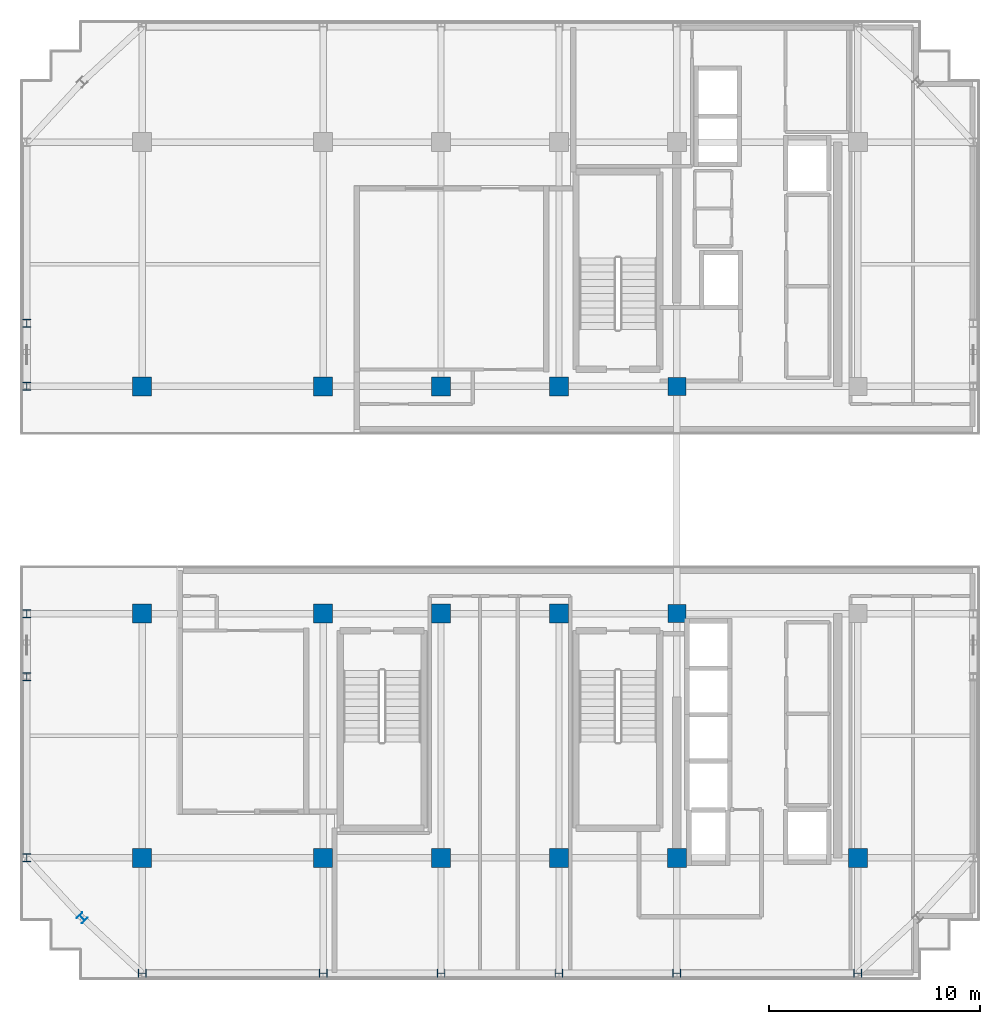
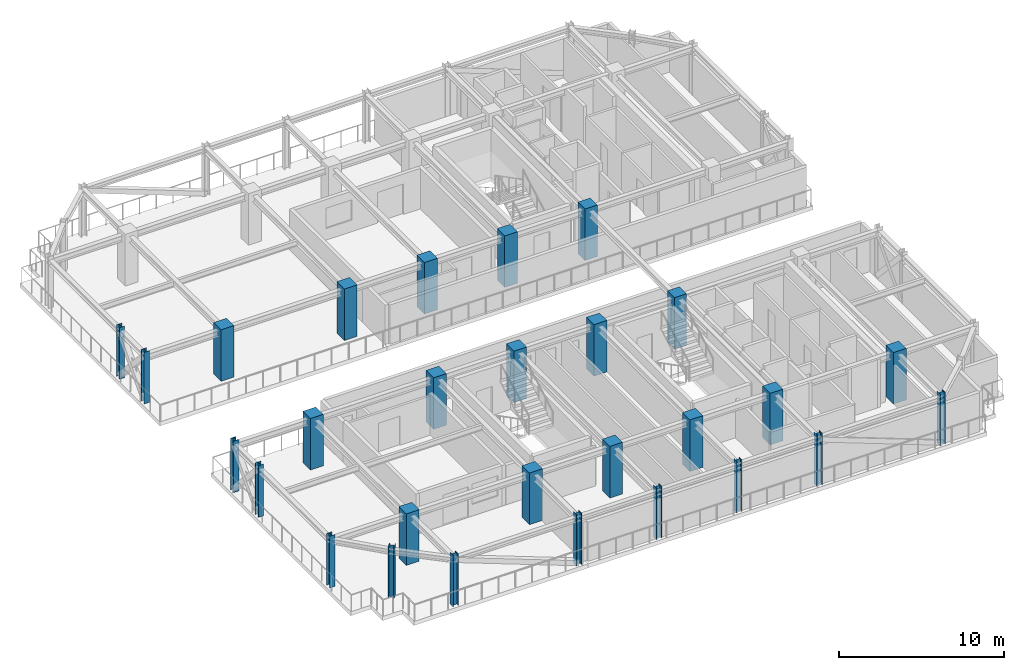
# One storey, part 1 of 14: 28 columns.
"""IFC4 building model written with IfcOpenShell, lengths in metres."""

import ifcopenshell
import ifcopenshell.guid

model = None  # the IFC model being written
_history = None  # IfcOwnerHistory: only IFC2X3 demands one
_inside = {}  # id of a spatial element -> (the spatial element, [elements in it])
_under = {}  # id of a project, library or spatial element -> (it, [spatial elements below it])
_declared = {}  # id of a project -> (the project, [libraries it declares])
_typed = {}  # id of a type object -> (the type object, [elements of that type])
_made_of = {}  # id of a material, layer set ... -> (it, [elements and type objects made of it])


def new_model(schema):
    """Start an empty IFC model of exactly this schema.

    Asked for "IFC4X3", IfcOpenShell would pick the latest addendum, in which some entities
    have other attributes; the version numbers below select the first issue.
    IFC2X3 requires an IfcOwnerHistory on every rooted entity: one is made here for all.
    """
    global model, _history
    if schema == "IFC4X3":
        model = ifcopenshell.file(schema_version=(4, 3, 0, 0))
    else:
        model = ifcopenshell.file(schema=schema)
    _inside.clear()
    _under.clear()
    _declared.clear()
    _typed.clear()
    _made_of.clear()
    _history = None
    if model.schema == "IFC2X3":
        org = make("IfcOrganization", Name="unknown")
        user = make(
            "IfcPersonAndOrganization",
            ThePerson=make("IfcPerson", FamilyName="unknown"),
            TheOrganization=org,
        )
        app = make(
            "IfcApplication",
            ApplicationDeveloper=org,
            Version="unknown",
            ApplicationFullName="unknown",
            ApplicationIdentifier="unknown",
        )
        _history = make(
            "IfcOwnerHistory",
            OwningUser=user,
            OwningApplication=app,
            ChangeAction="ADDED",
            CreationDate=0,
        )
    return model


def make(cls, **values):
    """One entity of the class cls with the attributes given. An attribute that is None is left unset."""
    return model.create_entity(
        cls, **{name: value for name, value in values.items() if value is not None}
    )


def rooted(cls, **values):
    """An entity with a GlobalId (a new one), such as an element, a storey or a relation."""
    return make(cls, GlobalId=ifcopenshell.guid.new(), OwnerHistory=_history, **values)


def si_unit(unit_type, name, prefix=None):
    """IfcSIUnit, for example si_unit("LENGTHUNIT", "METRE", prefix="MILLI")."""
    return make("IfcSIUnit", UnitType=unit_type, Prefix=prefix, Name=name)


def assignment(units):
    """IfcUnitAssignment: the units of a project."""
    return None if units is None else make("IfcUnitAssignment", Units=units)


def point(xyz):
    """IfcCartesianPoint."""
    return None if xyz is None else make("IfcCartesianPoint", Coordinates=xyz)


def direction(xyz):
    """IfcDirection."""
    return None if xyz is None else make("IfcDirection", DirectionRatios=xyz)


def frame(location, z_axis=None, x_axis=None):
    """IfcAxis2Placement3D, a coordinate frame: its origin and axes. An axis left out is left unset."""
    return make(
        "IfcAxis2Placement3D",
        Location=point(location),
        Axis=direction(z_axis),
        RefDirection=direction(x_axis),
    )


def frame_2d(location, x_axis=None):
    """IfcAxis2Placement2D, a coordinate frame in the plane: its origin and x axis."""
    return make(
        "IfcAxis2Placement2D", Location=point(location), RefDirection=direction(x_axis)
    )


def origin():
    """The frame at (0, 0, 0) with its axes left unset."""
    return frame((0.0, 0.0, 0.0))


def origin_2d():
    """The frame at (0, 0) in the plane with its x axis left unset."""
    return frame_2d((0.0, 0.0))


def place(relative_to, where):
    """IfcLocalPlacement: puts the frame where relative to a parent placement (None: the world)."""
    return make(
        "IfcLocalPlacement", PlacementRelTo=relative_to, RelativePlacement=where
    )


def context(
    kind, dimensions, precision=None, world=None, true_north=None, identifier=None
):
    """IfcGeometricRepresentationContext, for example the 3D "Model" context."""
    return make(
        "IfcGeometricRepresentationContext",
        ContextIdentifier=identifier,
        ContextType=kind,
        CoordinateSpaceDimension=dimensions,
        Precision=precision,
        WorldCoordinateSystem=world,
        TrueNorth=true_north,
    )


def subcontext(parent, identifier, kind, view, scale=None):
    """IfcGeometricRepresentationSubContext, for example "Body" below "Model"."""
    return make(
        "IfcGeometricRepresentationSubContext",
        ContextIdentifier=identifier,
        ContextType=kind,
        ParentContext=parent,
        TargetScale=scale,
        TargetView=view,
    )


def project(units=None, contexts=None):
    """IfcProject with its units and contexts."""
    return rooted(
        "IfcProject",
        Name="project",
        RepresentationContexts=contexts,
        UnitsInContext=assignment(units),
    )


def spatial(cls, under=None, at=None, **own):
    """A site, building, storey or space (cls), placed at a placement, below another one or the project."""
    s = rooted(cls, ObjectPlacement=at, **own)
    if under is not None:
        _under.setdefault(under.id(), (under, []))[1].append(s)
    return s


def profile(cls, at=None, kind="AREA", **sizes):
    """A parametric profile (cls). Its sizes go by their IFC names, for example OverallWidth=200.0."""
    return make(cls, ProfileType=kind, Position=at, **sizes)


def rectangle(**sizes):
    """IfcRectangleProfileDef."""
    return profile("IfcRectangleProfileDef", **sizes)


def i_section(**sizes):
    """IfcIShapeProfileDef."""
    return profile("IfcIShapeProfileDef", **sizes)


def extrude(swept, where, along, depth):
    """IfcExtrudedAreaSolid: the profile swept, set in the frame where, extruded along a direction by depth."""
    return make(
        "IfcExtrudedAreaSolid",
        SweptArea=swept,
        Position=where,
        ExtrudedDirection=direction(along),
        Depth=depth,
    )


def shape(context_of_items, identifier, shape_type, items):
    """IfcShapeRepresentation: the items that make up one representation, for example the "Body"."""
    return make(
        "IfcShapeRepresentation",
        ContextOfItems=context_of_items,
        RepresentationIdentifier=identifier,
        RepresentationType=shape_type,
        Items=items,
    )


def source(mapping_origin, context_of_items, identifier, shape_type, items):
    """IfcRepresentationMap: a shape defined once, which mapped items show again and again."""
    return make(
        "IfcRepresentationMap",
        MappingOrigin=mapping_origin,
        MappedRepresentation=shape(context_of_items, identifier, shape_type, items),
    )


def transform(
    local_origin,
    x_axis=None,
    y_axis=None,
    z_axis=None,
    scale=None,
    scale2=None,
    scale3=None,
    uniform=True,
):
    """IfcCartesianTransformationOperator3D, or its non-uniform kind. x_axis, y_axis, z_axis: its Axis1, 2, 3."""
    if uniform:
        return make(
            "IfcCartesianTransformationOperator3D",
            Axis1=direction(x_axis),
            Axis2=direction(y_axis),
            LocalOrigin=point(local_origin),
            Scale=scale,
            Axis3=direction(z_axis),
        )
    return make(
        "IfcCartesianTransformationOperator3DnonUniform",
        Axis1=direction(x_axis),
        Axis2=direction(y_axis),
        LocalOrigin=point(local_origin),
        Scale=scale,
        Axis3=direction(z_axis),
        Scale2=scale2,
        Scale3=scale3,
    )


def mapped(mapping_source, mapping_target):
    """IfcMappedItem: shows the shape of a source again, moved by a transform."""
    return make(
        "IfcMappedItem", MappingSource=mapping_source, MappingTarget=mapping_target
    )


def material(Name=None, Category=None):
    """IfcMaterial."""
    return make("IfcMaterial", Name=Name, Category=Category)


def material_profile(
    of_material, cross_section, Name=None, Category=None, Priority=None
):
    """IfcMaterialProfile: a cross section and its material."""
    return make(
        "IfcMaterialProfile",
        Name=Name,
        Material=of_material,
        Profile=cross_section,
        Priority=Priority,
        Category=Category,
    )


def profile_set(profiles, Name=None, composite=None):
    """IfcMaterialProfileSet."""
    return make(
        "IfcMaterialProfileSet",
        Name=Name,
        MaterialProfiles=profiles,
        CompositeProfile=composite,
    )


def made_of(thing, what):
    """Note that an element or type object is made of a material, layer set ...; save() writes the relation."""
    if what is not None:
        _made_of.setdefault(what.id(), (what, []))[1].append(thing)
    return thing


def type_object(cls, material=None, **own):
    """A type object (cls), such as IfcWallType, which elements share."""
    return made_of(rooted(cls, **own), material)


def element(
    cls,
    number,
    at=None,
    inside=None,
    cuts=None,
    type_object=None,
    material=None,
    context=None,
    identifier="Body",
    shape_type=None,
    held_by="IfcProductDefinitionShape",
    body=None,
    shapes=None,
    **own,
):
    """One element of the class cls, such as IfcWall. Its Tag is "e" and its number.

    at: its placement. inside: the storey or other place that contains it. cuts: it is an
    opening in that element (IfcRelVoidsElement). A single representation is given by context,
    identifier, shape_type and body (its items); several are given by shapes. held_by: the class
    of the entity that holds the representations. save() writes the other relations.
    """
    e = rooted(cls, Tag="e%d" % number, ObjectPlacement=at, **own)
    if body is not None:
        shapes = [shape(context, identifier, shape_type, body)]
    if shapes is not None:
        e.Representation = make(held_by, Representations=shapes)
    if inside is not None:
        _inside.setdefault(inside.id(), (inside, []))[1].append(e)
    if cuts is not None:
        rooted(
            "IfcRelVoidsElement", RelatingBuildingElement=cuts, RelatedOpeningElement=e
        )
    if type_object is not None:
        _typed.setdefault(type_object.id(), (type_object, []))[1].append(e)
    return made_of(e, material)


def aggregate(whole, parts):
    """IfcRelAggregates: a whole, such as a stair, and the parts it consists of."""
    return rooted("IfcRelAggregates", RelatingObject=whole, RelatedObjects=parts)


def save(model, path):
    """Write the relations noted so far, then the file.

    IfcRelAggregates (storeys below a building ...), IfcRelContainedInSpatialStructure (elements
    in a storey), IfcRelDefinesByType, IfcRelAssociatesMaterial and IfcRelDeclares: one each for
    every whole, place, type object, material and project.
    """
    for whole, parts in _under.values():
        aggregate(whole, parts)
    for where, things in _inside.values():
        rooted(
            "IfcRelContainedInSpatialStructure",
            RelatedElements=things,
            RelatingStructure=where,
        )
    for kind, things in _typed.values():
        rooted("IfcRelDefinesByType", RelatedObjects=things, RelatingType=kind)
    for what, things in _made_of.values():
        rooted("IfcRelAssociatesMaterial", RelatedObjects=things, RelatingMaterial=what)
    for by, libraries in _declared.values():
        rooted("IfcRelDeclares", RelatingContext=by, RelatedDefinitions=libraries)
    model.write(path)


model = new_model("IFC4")

# Units and contexts
model_context = context("Model", 3, precision=1e-05, world=origin(), true_north=direction((0.0, 1.0)))
body_context = subcontext(model_context, "Body", "Model", "MODEL_VIEW")
ifc_project = project(units=[si_unit("LENGTHUNIT", "METRE"), si_unit("AREAUNIT", "SQUARE_METRE"), si_unit("VOLUMEUNIT", "CUBIC_METRE"), si_unit("PLANEANGLEUNIT", "RADIAN"), si_unit("MASSUNIT", "GRAM", prefix="KILO")], contexts=[model_context])

# Site, building, storey
site_placement = place(None, origin())
site = spatial("IfcSite", under=ifc_project, at=site_placement, CompositionType="ELEMENT")
building_placement = place(site_placement, origin())
building = spatial("IfcBuilding", under=site, at=building_placement, Name="Nahalor Promenade Grand Hotel", CompositionType="ELEMENT")
storey_placement = place(building_placement, frame((0.0, 0.0, 300.35009765625)))
storey = spatial("IfcBuildingStorey", under=building, at=storey_placement, Name="L77", CompositionType="ELEMENT", Elevation=300.35009765625)

# Columns
ifc_material_1 = material(Name="Concrete B-50 (C40/50)", Category="concrete")
ifc_material_profile_1 = material_profile(ifc_material_1, rectangle(XDim=0.9, YDim=0.9, at=origin_2d()), Name="RC 900x900")
ifc_profile_set_1 = profile_set([ifc_material_profile_1], Name="Concrete B-50 (C40/50)")
column_type_1 = type_object("IfcColumnType", Name="Col-RC-900", PredefinedType="COLUMN", material=ifc_profile_set_1)
shared_shape_1 = source(origin(), body_context, "Body", "SweptSolid", [
    extrude(rectangle(XDim=0.9, YDim=0.9, at=origin_2d()), origin(), (0.0, 0.0, 1.0), 3.804931640625),
])
for number, where, z_axis, x_axis, name in (
    (1, (-17.0, -17.0, 0.0), (0.0, 0.0, 1.0), (1.0, 0.0, 0.0), "COL-L77-I00"),
    (2, (-17.0, -5.39990234375, 0.0), (0.0, 0.0, 1.0), (1.0, 0.0, 0.0), "COL-L77-I01"),
    (3, (-17.0, 5.39990234375, 0.0), (0.0, 0.0, 1.0), (1.0, 0.0, 0.0), "COL-L77-I02"),
    (4, (-8.39990234375, -17.0, 0.0), (0.0, 0.0, 1.0), (1.0, 0.0, 0.0), "COL-L77-I10"),
    (5, (-8.39990234375, -5.39990234375, 0.0), (0.0, 0.0, 1.0), (1.0, 0.0, 0.0), "COL-L77-I11"),
    (6, (-8.39990234375, 5.39990234375, 0.0), (0.0, 0.0, 1.0), (1.0, 0.0, 0.0), "COL-L77-I12"),
    (7, (-2.800048828125, -17.0, 0.0), (0.0, 0.0, 1.0), (1.0, 0.0, 0.0), "COL-L77-I20"),
    (8, (-2.800048828125, -5.39990234375, 0.0), (0.0, 0.0, 1.0), (1.0, 0.0, 0.0), "COL-L77-I21"),
    (9, (-2.800048828125, 5.39990234375, 0.0), (0.0, 0.0, 1.0), (1.0, 0.0, 0.0), "COL-L77-I22"),
    (10, (2.800048828125, -17.0, 0.0), (0.0, 0.0, 1.0), (1.0, 0.0, 0.0), "COL-L77-I30"),
    (11, (2.800048828125, -5.39990234375, 0.0), (0.0, 0.0, 1.0), (1.0, 0.0, 0.0), "COL-L77-I31"),
    (12, (2.800048828125, 5.39990234375, 0.0), (0.0, 0.0, 1.0), (1.0, 0.0, 0.0), "COL-L77-I32"),
    (13, (8.39990234375, -17.0, 0.0), (0.0, 0.0, 1.0), (1.0, 0.0, 0.0), "COL-L77-I40"),
    (14, (17.0, -17.0, 0.0), (0.0, 0.0, 1.0), (1.0, 0.0, 0.0), "COL-L77-I50"),
):
    element("IfcColumn", number, at=place(storey_placement, frame(where, z_axis=z_axis, x_axis=x_axis)), inside=storey, type_object=column_type_1, Name=name, PredefinedType="COLUMN", context=body_context, shape_type="MappedRepresentation", body=[
        mapped(shared_shape_1, transform((0.0, 0.0, 0.0), scale=1.0)),
    ])
ifc_material_2 = material(Name="Concrete B-70 (C60/75)", Category="concrete")
ifc_material_profile_2 = material_profile(ifc_material_2, rectangle(XDim=0.85, YDim=0.85, at=origin_2d()), Name="RC 850x850")
ifc_profile_set_2 = profile_set([ifc_material_profile_2], Name="Concrete B-70 (C60/75)")
column_type_2 = type_object("IfcColumnType", Name="Col-Pilaster-850", PredefinedType="PILASTER", material=ifc_profile_set_2)
shared_shape_2 = source(origin(), body_context, "Body", "SweptSolid", [
    extrude(rectangle(XDim=0.85, YDim=0.85, at=origin_2d()), origin(), (0.0, 0.0, 1.0), 3.804931640625),
])
for number, where, z_axis, x_axis, name in (
    (15, (8.39990234375, -5.39990234375, 0.0), (0.0, 0.0, 1.0), (1.0, 0.0, 0.0), "COL-L77-I41"),
    (16, (8.39990234375, 5.39990234375, 0.0), (0.0, 0.0, 1.0), (1.0, 0.0, 0.0), "COL-L77-I42"),
):
    element("IfcColumn", number, at=place(storey_placement, frame(where, z_axis=z_axis, x_axis=x_axis)), inside=storey, type_object=column_type_2, Name=name, PredefinedType="PILASTER", context=body_context, shape_type="MappedRepresentation", body=[
        mapped(shared_shape_2, transform((0.0, 0.0, 0.0), scale=1.0)),
    ])
ifc_material_3 = material(Name="Steel S355JR", Category="steel")
ifc_material_profile_3 = material_profile(ifc_material_3, i_section(OverallWidth=0.374, OverallDepth=0.374, WebThickness=0.0144, FlangeThickness=0.0229, at=origin_2d()), Name="HD 360x262")
ifc_profile_set_3 = profile_set([ifc_material_profile_3], Name="Steel S355JR")
column_type_3 = type_object("IfcColumnType", Name="Col-Steel-HD262", PredefinedType="COLUMN", material=ifc_profile_set_3)
shared_shape_3 = source(origin(), body_context, "Body", "SweptSolid", [
    extrude(i_section(OverallWidth=0.374, OverallDepth=0.374, WebThickness=0.0144, FlangeThickness=0.0229, at=origin_2d()), origin(), (0.0, 0.0, 1.0), 3.804931640625),
])
for number, where, z_axis, x_axis, name in (
    (17, (-22.47998046875, -17.0, 0.0), (0.0, 0.0, 1.0), (1.0, 0.0, 0.0), "COL-L77-PW-W0"),
    (18, (-22.47998046875, -8.39990234375, 0.0), (0.0, 0.0, 1.0), (1.0, 0.0, 0.0), "COL-L77-PW-W1"),
    (19, (-22.47998046875, -5.39990234375, 0.0), (0.0, 0.0, 1.0), (1.0, 0.0, 0.0), "COL-L77-PW-W2"),
    (20, (-22.47998046875, 5.39990234375, 0.0), (0.0, 0.0, 1.0), (1.0, 0.0, 0.0), "COL-L77-PW-W3"),
    (21, (-22.47998046875, 8.39990234375, 0.0), (0.0, 0.0, 1.0), (1.0, 0.0, 0.0), "COL-L77-PW-W4"),
    (22, (-17.0, -22.47998046875, 0.0), (0.0, 0.0, 1.0), (0.0, 1.0, 0.0), "COL-L77-PN-S0"),
    (23, (-8.39990234375, -22.47998046875, 0.0), (0.0, 0.0, 1.0), (0.0, 1.0, 0.0), "COL-L77-PN-S1"),
    (24, (-2.800048828125, -22.47998046875, 0.0), (0.0, 0.0, 1.0), (0.0, 1.0, 0.0), "COL-L77-PN-S2"),
    (25, (2.800048828125, -22.47998046875, 0.0), (0.0, 0.0, 1.0), (0.0, 1.0, 0.0), "COL-L77-PN-S3"),
    (26, (8.39990234375, -22.47998046875, 0.0), (0.0, 0.0, 1.0), (0.0, 1.0, 0.0), "COL-L77-PN-S4"),
    (27, (17.0, -22.47998046875, 0.0), (0.0, 0.0, 1.0), (0.0, 1.0, 0.0), "COL-L77-PN-S5"),
    (28, (-19.85009765625, -19.85009765625, 0.0), (0.0, 0.0, 1.0), (0.707106781187, 0.707106781187, 0.0), "COL-L77-CRN-SW"),
):
    element("IfcColumn", number, at=place(storey_placement, frame(where, z_axis=z_axis, x_axis=x_axis)), inside=storey, type_object=column_type_3, Name=name, PredefinedType="COLUMN", context=body_context, shape_type="MappedRepresentation", body=[
        mapped(shared_shape_3, transform((0.0, 0.0, 0.0), scale=1.0)),
    ])

save(model, "model.ifc")
